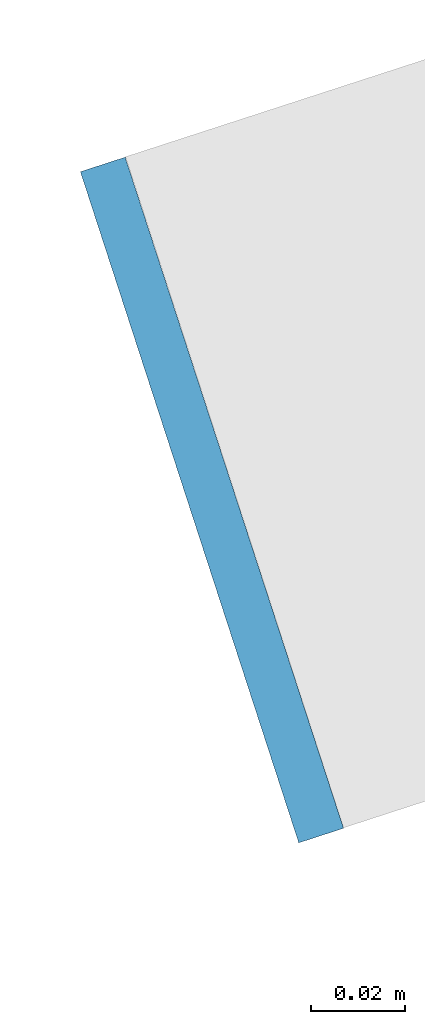
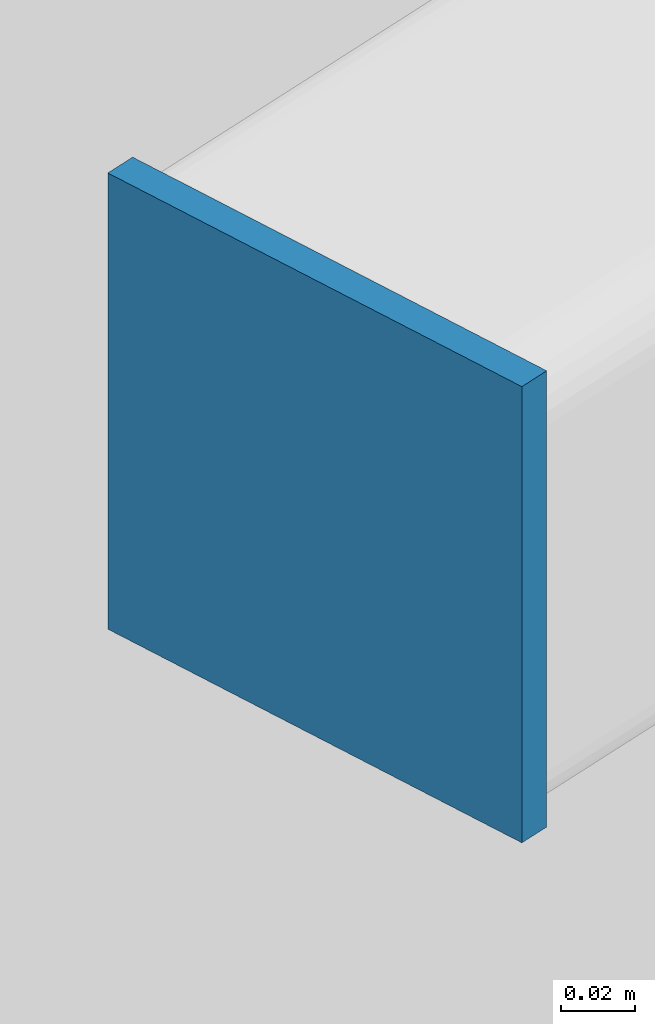
# One storey, part 69 of 81: 1 plate.
"""IFC4 building model written with IfcOpenShell, lengths in metres."""

from ifc_helpers import new_model, si_unit, direction, frame, origin, place, context, subcontext, project, spatial, polyline, outline, extrude, material, layer, layer_set, type_object, element, save


model = new_model("IFC4")

# Units and contexts
model_context = context("Model", 3, precision=1e-05, world=origin(), true_north=direction((0.0, 1.0)))
body_context = subcontext(model_context, "Body", "Model", "MODEL_VIEW")
ifc_project = project(units=[si_unit("LENGTHUNIT", "METRE"), si_unit("AREAUNIT", "SQUARE_METRE"), si_unit("VOLUMEUNIT", "CUBIC_METRE"), si_unit("PLANEANGLEUNIT", "RADIAN"), si_unit("MASSUNIT", "GRAM", prefix="KILO")], contexts=[model_context])

# Site, building, storey
site_placement = place(None, origin())
site = spatial("IfcSite", under=ifc_project, at=site_placement, CompositionType="ELEMENT")
building_placement = place(site_placement, origin())
building = spatial("IfcBuilding", under=site, at=building_placement, Name="Tuart Plaza Theatre", CompositionType="ELEMENT")
storey_placement = place(building_placement, frame((0.0, 0.0, 17.5)))
storey = spatial("IfcBuildingStorey", under=building, at=storey_placement, Name="L04", CompositionType="ELEMENT", Elevation=17.5)

# Plate
ifc_material = material(Name="Steel Grade C350L0", Category="steel")
ifc_layer = layer(ifc_material, 0.010009765625)
ifc_layer_set = layer_set([ifc_layer], Name="PLATE End cap 10 Steel Grade C350L0")
plate_type = type_object("IfcPlateType", Name="PLATE End cap 10 Steel Grade C350L0", PredefinedType="SHEET", material=ifc_layer_set)
plate_placement = place(storey_placement, frame((42.621337890625, 67.9130859375, 3.475830078125), z_axis=(-0.950938293792, -0.309380609282, 0.0), x_axis=(-0.309380609282, 0.950938293792, 0.0)))
element("IfcPlate", 1, at=plate_placement, inside=storey, type_object=plate_type, Name="EP45", PredefinedType="SHEET", context=body_context, shape_type="SweptSolid", body=[
    extrude(outline(polyline([(0.0, 0.0), (0.14993415022904966, 0.0), (0.14993415022904966, 0.14990234375000003), (0.0, 0.14990234375000003), (0.0, 0.0)])), origin(), (0.0, 0.0, -1.0), 0.010009765625),
])

save(model, "model.ifc")
